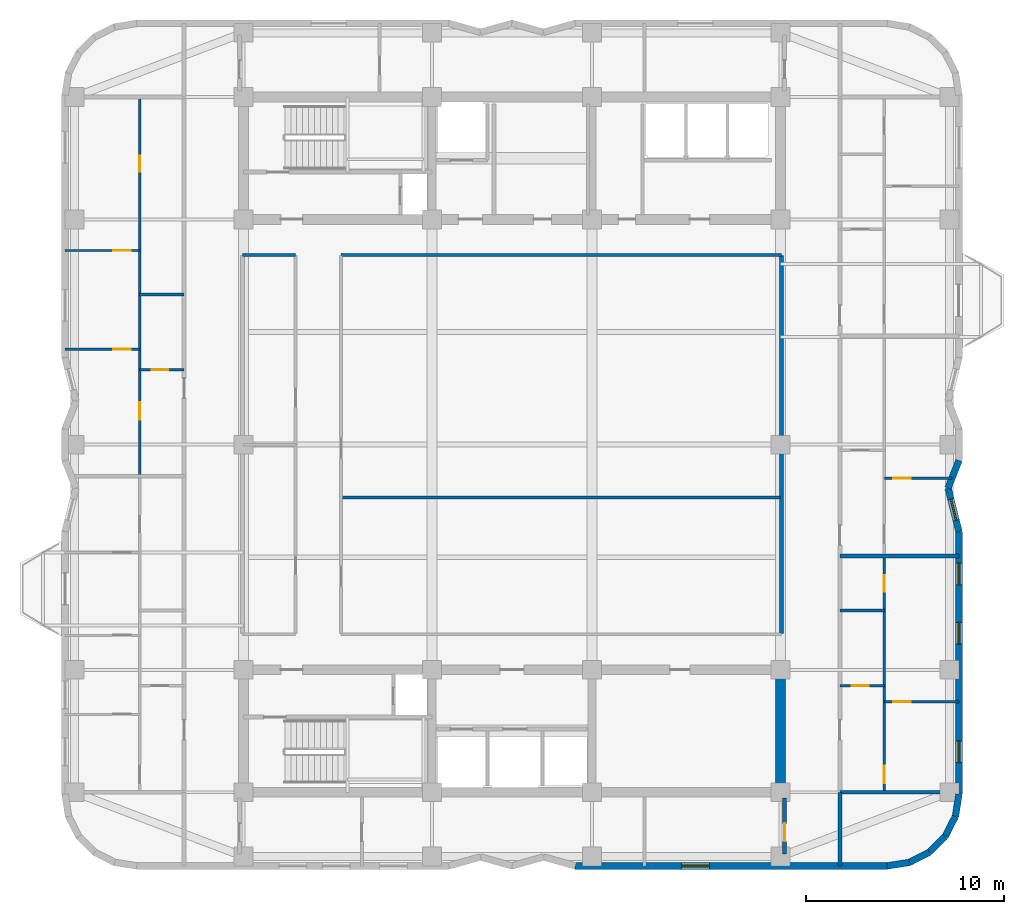
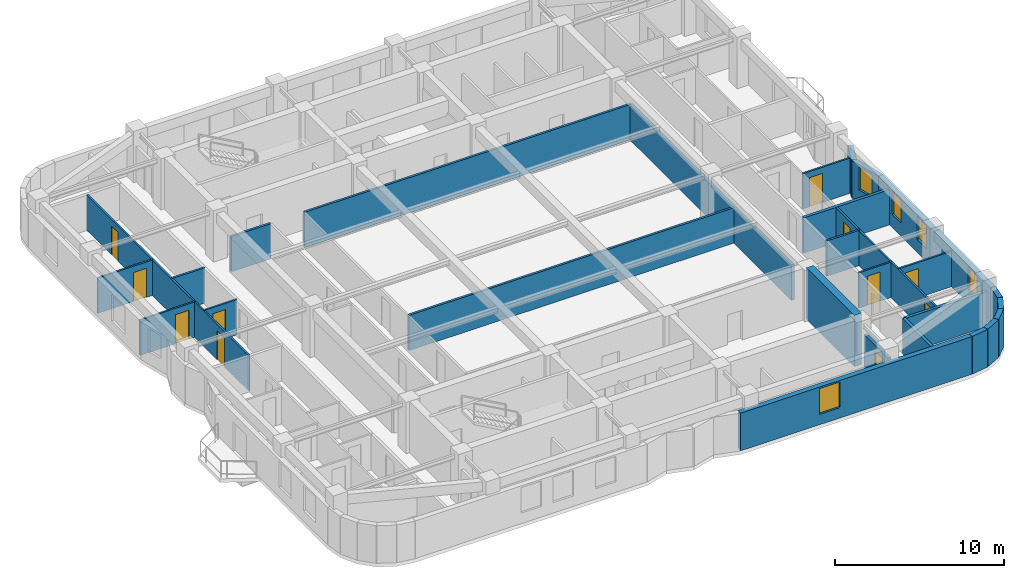
# One storey, part 4 of 8: 28 walls, 11 doors, 5 windows, 16 openings.
"""IFC4 building model written with IfcOpenShell, lengths in metres."""

from ifc_helpers import new_model, si_unit, direction, frame, frame_2d, origin, place, context, subcontext, project, spatial, rectangle, extrude, material, layer, layer_set, type_object, element, fill, save


model = new_model("IFC4")

# Units and contexts
model_context = context("Model", 3, precision=1e-05, world=origin(), true_north=direction((0.0, 1.0)))
body_context = subcontext(model_context, "Body", "Model", "MODEL_VIEW")
ifc_project = project(units=[si_unit("LENGTHUNIT", "METRE"), si_unit("AREAUNIT", "SQUARE_METRE"), si_unit("VOLUMEUNIT", "CUBIC_METRE"), si_unit("PLANEANGLEUNIT", "RADIAN"), si_unit("MASSUNIT", "GRAM", prefix="KILO")], contexts=[model_context])

# Site, building, storey
site_placement = place(None, origin())
site = spatial("IfcSite", under=ifc_project, at=site_placement, CompositionType="ELEMENT")
building_placement = place(site_placement, origin())
building = spatial("IfcBuilding", under=site, at=building_placement, Name="Svetorya Sky Lyceum", CompositionType="ELEMENT")
storey_placement = place(building_placement, frame((0.0, 0.0, 151.5)))
storey = spatial("IfcBuildingStorey", under=building, at=storey_placement, Name="L37", CompositionType="ELEMENT", Elevation=151.5)

# Wall
ifc_material_1 = material(Name="Concrete C50/60", Category="concrete")
ifc_layer_1 = layer(ifc_material_1, 0.5)
ifc_layer_set_1 = layer_set([ifc_layer_1], Name="Concrete C50/60")
wall_type_1 = type_object("IfcWallType", Name="WL-CORE-500", PredefinedType="SHEAR", material=ifc_layer_set_1)
wall_1_placement = place(storey_placement, frame((52.800048828125, 10.85009765625, 0.0), z_axis=(0.0, 0.0, 1.0), x_axis=(0.0, 1.0, 0.0)))
element("IfcWall", 1, at=wall_1_placement, inside=storey, type_object=wall_type_1, Name="L37 SC East Core Shear Wall", PredefinedType="SHEAR", context=body_context, shape_type="SweptSolid", body=[
    extrude(rectangle(XDim=5.699951171875, YDim=0.5, at=frame_2d((2.85009765625, 0.0))), origin(), (0.0, 0.0, 1.0), 3.699951171875),
])

# Wall, opening, window
ifc_material_2 = material(Name="Putilovo limestone rainscreen on autoclaved cellular masonry", Category="masonry")
ifc_layer_2 = layer(ifc_material_2, 0.340087890625)
ifc_layer_set_2 = layer_set([ifc_layer_2], Name="Putilovo limestone rainscreen on autoclaved cellular masonry")
wall_type_2 = type_object("IfcWallType", Name="WL-EXT-340", PredefinedType="SOLIDWALL", material=ifc_layer_set_2)
wall_2_placement = place(storey_placement, frame((42.39990234375, 6.8701171875, 0.0), z_axis=(0.0, 0.0, 1.0), x_axis=(1.0, 0.0, 0.0)))
wall_2 = element("IfcWall", 2, at=wall_2_placement, inside=storey, type_object=wall_type_2, Name="L37 Limestone Exterior Wall 11M", PredefinedType="SOLIDWALL", context=body_context, shape_type="SweptSolid", body=[
    extrude(rectangle(XDim=15.800048828125, YDim=0.340087890625, at=frame_2d((7.89990234375, 0.0))), origin(), (0.0, 0.0, 1.0), 2.719970703125),
])
opening_1_placement = place(wall_2_placement, frame((5.387451171875, 0.0, 0.75)))
opening_1 = element("IfcOpeningElement", 3, at=opening_1_placement, cuts=wall_2, Name="Opening W-R2", PredefinedType="OPENING", context=body_context, shape_type="SweptSolid", body=[
    extrude(rectangle(XDim=1.39990234375, YDim=1.85009765625, at=frame_2d((0.699951171875, 0.925048828125))), frame((0.0, 0.179931640625, 0.0), z_axis=(0.0, -1.0, 0.0), x_axis=(1.0, 0.0, 0.0)), (0.0, 0.0, 1.0), 0.360107421875),
])
ifc_material_3 = material(Name="Thermally broken aluminium frame with triple low-E glazing", Category="aluminium")
window_type_1 = type_object("IfcWindowType", Name="WN-RES-140", PartitioningType="SINGLE_PANEL", PredefinedType="WINDOW", material=ifc_material_3)
window_1_placement = place(opening_1_placement, origin())
window_1 = element("IfcWindow", 4, at=window_1_placement, inside=storey, type_object=window_type_1, Name="L37 Facade Window W-R2.11M.1", OverallHeight=1.85009765625, OverallWidth=1.39990234375, PartitioningType="SINGLE_PANEL", PredefinedType="WINDOW", context=body_context, shape_type="SweptSolid", body=[
    extrude(rectangle(XDim=1.39990234375, YDim=1.85009765625, at=frame_2d((0.699951171875, 0.925048828125))), frame((0.0, 0.030029296875, 0.0), z_axis=(0.0, -1.0, 0.0), x_axis=(1.0, 0.0, 0.0)), (0.0, 0.0, 1.0), 0.06005859375),
])
fill(opening_1, window_1)

# Walls
for number, where, z_axis, x_axis, name in (
    (5, (58.199951171875, 6.8701171875, 0.0), (0.0, 0.0, 1.0), (0.987714116584, 0.156271634985, 0.0), "L37 Limestone Exterior Wall 12M"),
    (6, (59.32177734375, 7.047607421875, 0.0), (0.0, 0.0, 1.0), (0.891005044957, 0.453993402883, 0.0), "L37 Limestone Exterior Wall 13M"),
):
    element("IfcWall", number, at=place(storey_placement, frame(where, z_axis=z_axis, x_axis=x_axis)), inside=storey, type_object=wall_type_2, Name=name, PredefinedType="SOLIDWALL", context=body_context, shape_type="SweptSolid", body=[
        extrude(rectangle(XDim=1.1357421875, YDim=0.340087890625, at=frame_2d((0.56787109375, 0.0))), origin(), (0.0, 0.0, 1.0), 2.719970703125),
    ])
wall_3_placement = place(storey_placement, frame((60.333740234375, 7.563232421875, 0.0), z_axis=(0.0, 0.0, 1.0), x_axis=(0.707106781187, 0.707106781187, 0.0)))
element("IfcWall", 7, at=wall_3_placement, inside=storey, type_object=wall_type_2, Name="L37 Limestone Exterior Wall 14M", PredefinedType="SOLIDWALL", context=body_context, shape_type="SweptSolid", body=[
    extrude(rectangle(XDim=1.135498046875, YDim=0.340087890625, at=frame_2d((0.56787109375, 0.0))), origin(), (0.0, 0.0, 1.0), 2.719970703125),
])
wall_4_placement = place(storey_placement, frame((61.13671875, 8.3662109375, 0.0), z_axis=(0.0, 0.0, 1.0), x_axis=(0.45390646422, 0.891049337433, 0.0)))
element("IfcWall", 8, at=wall_4_placement, inside=storey, type_object=wall_type_2, Name="L37 Limestone Exterior Wall 15M", PredefinedType="SOLIDWALL", context=body_context, shape_type="SweptSolid", body=[
    extrude(rectangle(XDim=1.135986328125, YDim=0.340087890625, at=frame_2d((0.56787109375, 0.0))), origin(), (0.0, 0.0, 1.0), 2.719970703125),
])
wall_5_placement = place(storey_placement, frame((61.65234375, 9.37841796875, 0.0), z_axis=(0.0, 0.0, 1.0), x_axis=(0.156514556949, 0.987675651954, 0.0)))
element("IfcWall", 9, at=wall_5_placement, inside=storey, type_object=wall_type_2, Name="L37 Limestone Exterior Wall 16M", PredefinedType="SOLIDWALL", context=body_context, shape_type="SweptSolid", body=[
    extrude(rectangle(XDim=1.135498046875, YDim=0.340087890625, at=frame_2d((0.56787109375, 0.0))), origin(), (0.0, 0.0, 1.0), 2.719970703125),
])

# Wall, openings, windows
wall_6_placement = place(storey_placement, frame((61.830078125, 10.5, 0.0), z_axis=(0.0, 0.0, 1.0), x_axis=(0.0, 1.0, 0.0)))
wall_6 = element("IfcWall", 10, at=wall_6_placement, inside=storey, type_object=wall_type_2, Name="L37 Limestone Exterior Wall 17M", PredefinedType="SOLIDWALL", context=body_context, shape_type="SweptSolid", body=[
    extrude(rectangle(XDim=13.300048828125, YDim=0.340087890625, at=frame_2d((6.64990234375, 0.0))), origin(), (0.0, 0.0, 1.0), 2.719970703125),
])
opening_2_placement = place(wall_6_placement, frame((1.60009765625, 0.0, 0.949951171875)))
opening_2 = element("IfcOpeningElement", 11, at=opening_2_placement, cuts=wall_6, Name="Opening W-R3", PredefinedType="OPENING", context=body_context, shape_type="SweptSolid", body=[
    extrude(rectangle(XDim=1.10009765625, YDim=1.64990234375, at=frame_2d((0.550048828125, 0.824951171875))), frame((0.0, 0.179931640625, 0.0), z_axis=(0.0, -1.0, 0.0), x_axis=(1.0, 0.0, 0.0)), (0.0, 0.0, 1.0), 0.360107421875),
])
opening_3_placement = place(wall_6_placement, frame((7.60009765625, 0.0, 0.949951171875)))
opening_3 = element("IfcOpeningElement", 12, at=opening_3_placement, cuts=wall_6, Name="Opening W-R3", PredefinedType="OPENING", context=body_context, shape_type="SweptSolid", body=[
    extrude(rectangle(XDim=1.10009765625, YDim=1.64990234375, at=frame_2d((0.550048828125, 0.824951171875))), frame((0.0, 0.179931640625, 0.0), z_axis=(0.0, -1.0, 0.0), x_axis=(1.0, 0.0, 0.0)), (0.0, 0.0, 1.0), 0.360107421875),
])
opening_4_placement = place(wall_6_placement, frame((10.60009765625, 0.0, 0.949951171875)))
opening_4 = element("IfcOpeningElement", 13, at=opening_4_placement, cuts=wall_6, Name="Opening W-R3", PredefinedType="OPENING", context=body_context, shape_type="SweptSolid", body=[
    extrude(rectangle(XDim=1.10009765625, YDim=1.64990234375, at=frame_2d((0.550048828125, 0.824951171875))), frame((0.0, 0.179931640625, 0.0), z_axis=(0.0, -1.0, 0.0), x_axis=(1.0, 0.0, 0.0)), (0.0, 0.0, 1.0), 0.360107421875),
])
window_type_2 = type_object("IfcWindowType", Name="WN-RES-110", PartitioningType="SINGLE_PANEL", PredefinedType="WINDOW", material=ifc_material_3)
window_2_placement = place(opening_2_placement, origin())
window_2 = element("IfcWindow", 14, at=window_2_placement, inside=storey, type_object=window_type_2, Name="L37 Facade Window W-R3.17M.1", OverallHeight=1.64990234375, OverallWidth=1.10009765625, PartitioningType="SINGLE_PANEL", PredefinedType="WINDOW", context=body_context, shape_type="SweptSolid", body=[
    extrude(rectangle(XDim=1.10009765625, YDim=1.64990234375, at=frame_2d((0.550048828125, 0.824951171875))), frame((0.0, 0.030029296875, 0.0), z_axis=(0.0, -1.0, 0.0), x_axis=(1.0, 0.0, 0.0)), (0.0, 0.0, 1.0), 0.06005859375),
])
fill(opening_2, window_2)
window_3_placement = place(opening_3_placement, origin())
window_3 = element("IfcWindow", 15, at=window_3_placement, inside=storey, type_object=window_type_2, Name="L37 Facade Window W-R3.17M.2", OverallHeight=1.64990234375, OverallWidth=1.10009765625, PartitioningType="SINGLE_PANEL", PredefinedType="WINDOW", context=body_context, shape_type="SweptSolid", body=[
    extrude(rectangle(XDim=1.10009765625, YDim=1.64990234375, at=frame_2d((0.550048828125, 0.824951171875))), frame((0.0, 0.030029296875, 0.0), z_axis=(0.0, -1.0, 0.0), x_axis=(1.0, 0.0, 0.0)), (0.0, 0.0, 1.0), 0.06005859375),
])
fill(opening_3, window_3)
window_4_placement = place(opening_4_placement, origin())
window_4 = element("IfcWindow", 16, at=window_4_placement, inside=storey, type_object=window_type_2, Name="L37 Facade Window W-R3.17M.3", OverallHeight=1.64990234375, OverallWidth=1.10009765625, PartitioningType="SINGLE_PANEL", PredefinedType="WINDOW", context=body_context, shape_type="SweptSolid", body=[
    extrude(rectangle(XDim=1.10009765625, YDim=1.64990234375, at=frame_2d((0.550048828125, 0.824951171875))), frame((0.0, 0.030029296875, 0.0), z_axis=(0.0, -1.0, 0.0), x_axis=(1.0, 0.0, 0.0)), (0.0, 0.0, 1.0), 0.06005859375),
])
fill(opening_4, window_4)

# Wall, opening, window
wall_7_placement = place(storey_placement, frame((61.830078125, 23.800048828125, 0.0), z_axis=(0.0, 0.0, 1.0), x_axis=(-0.242560957029, 0.970136166796, 0.0)))
wall_7 = element("IfcWall", 17, at=wall_7_placement, inside=storey, type_object=wall_type_2, Name="L37 Limestone Exterior Wall 18M", PredefinedType="SOLIDWALL", context=body_context, shape_type="SweptSolid", body=[
    extrude(rectangle(XDim=2.267578125, YDim=0.340087890625, at=frame_2d((1.1337890625, 0.0))), origin(), (0.0, 0.0, 1.0), 2.719970703125),
])
opening_5_placement = place(wall_7_placement, frame((0.583984375, 0.0, 0.909912109375)))
opening_5 = element("IfcOpeningElement", 18, at=opening_5_placement, cuts=wall_7, Name="Opening W-R3", PredefinedType="OPENING", context=body_context, shape_type="SweptSolid", body=[
    extrude(rectangle(XDim=1.10009765625, YDim=1.64990234375, at=frame_2d((0.550048828125, 0.824951171875))), frame((0.0, 0.179931640625, 0.0), z_axis=(0.0, -1.0, 0.0), x_axis=(1.0, 0.0, 0.0)), (0.0, 0.0, 1.0), 0.360107421875),
])
window_5_placement = place(opening_5_placement, origin())
window_5 = element("IfcWindow", 19, at=window_5_placement, inside=storey, type_object=window_type_2, Name="L37 Facade Window W-R3.18M.1", OverallHeight=1.64990234375, OverallWidth=1.10009765625, PartitioningType="SINGLE_PANEL", PredefinedType="WINDOW", context=body_context, shape_type="SweptSolid", body=[
    extrude(rectangle(XDim=1.10009765625, YDim=1.64990234375, at=frame_2d((0.550048828125, 0.824951171875))), frame((0.0, 0.030029296875, 0.0), z_axis=(0.0, -1.0, 0.0), x_axis=(1.0, 0.0, 0.0)), (0.0, 0.0, 1.0), 0.06005859375),
])
fill(opening_5, window_5)

# Wall
wall_8_placement = place(storey_placement, frame((61.280029296875, 26.0, 0.0), z_axis=(0.0, 0.0, 1.0), x_axis=(0.365702591843, 0.930731762818, 0.0)))
element("IfcWall", 20, at=wall_8_placement, inside=storey, type_object=wall_type_2, Name="L37 Limestone Exterior Wall 19M", PredefinedType="SOLIDWALL", context=body_context, shape_type="SweptSolid", body=[
    extrude(rectangle(XDim=1.504150390625, YDim=0.340087890625, at=frame_2d((0.751953125, 0.0))), origin(), (0.0, 0.0, 1.0), 2.719970703125),
])

# Wall, opening, door
ifc_material_4 = material(Name="Twin-stud galvanized framing with double fireboard", Category="gypsum")
ifc_layer_3 = layer(ifc_material_4, 0.1201171875)
ifc_layer_set_3 = layer_set([ifc_layer_3], Name="Twin-stud galvanized framing with double fireboard")
wall_type_3 = type_object("IfcWallType", Name="WL-PART-120", PredefinedType="PARTITIONING", material=ifc_layer_set_3)
wall_9_placement = place(storey_placement, frame((20.35009765625, 32.0, 0.0), z_axis=(0.0, 0.0, 1.0), x_axis=(1.0, 0.0, 0.0)))
wall_9 = element("IfcWall", 21, at=wall_9_placement, inside=storey, type_object=wall_type_3, Name="L37 Interior Partition W2-WH1", PredefinedType="PARTITIONING", context=body_context, shape_type="SweptSolid", body=[
    extrude(rectangle(XDim=2.25, YDim=0.1201171875, at=frame_2d((1.125, 0.0))), origin(), (0.0, 0.0, 1.0), 2.550048828125),
])
opening_6_placement = place(wall_9_placement, frame((0.60009765625, 0.0, 0.0)))
opening_6 = element("IfcOpeningElement", 22, at=opening_6_placement, cuts=wall_9, Name="Opening D-BT1", PredefinedType="OPENING", context=body_context, shape_type="SweptSolid", body=[
    extrude(rectangle(XDim=0.85009765625, YDim=2.10009765625, at=frame_2d((0.425048828125, 1.050048828125))), frame((0.0, 0.070068359375, 0.0), z_axis=(0.0, -1.0, 0.0), x_axis=(1.0, 0.0, 0.0)), (0.0, 0.0, 1.0), 0.14013671875),
])
ifc_material_5 = material(Name="Moisture-resistant laminate bathroom door")
door_type_1 = type_object("IfcDoorType", Name="DR-WET-850", OperationType="SINGLE_SWING_LEFT", PredefinedType="DOOR", material=ifc_material_5)
door_1_placement = place(opening_6_placement, origin())
door_1 = element("IfcDoor", 23, at=door_1_placement, inside=storey, type_object=door_type_1, Name="Apartment W2 Bathroom Door", OperationType="SINGLE_SWING_RIGHT", OverallHeight=2.10009765625, OverallWidth=0.85009765625, PredefinedType="DOOR", context=body_context, shape_type="SweptSolid", body=[
    extrude(rectangle(XDim=0.85009765625, YDim=2.10009765625, at=frame_2d((0.425048828125, 1.050048828125))), frame((0.0, 0.02490234375, 0.0), z_axis=(0.0, -1.0, 0.0), x_axis=(1.0, 0.0, 0.0)), (0.0, 0.0, 1.0), 0.050048828125),
])
fill(opening_6, door_1)

wall_10_placement = place(storey_placement, frame((16.570068359375, 33.030029296875, 0.0), z_axis=(0.0, 0.0, 1.0), x_axis=(1.0, 0.0, 0.0)))
wall_10 = element("IfcWall", 24, at=wall_10_placement, inside=storey, type_object=wall_type_3, Name="L37 Interior Partition W2-WL1", PredefinedType="PARTITIONING", context=body_context, shape_type="SweptSolid", body=[
    extrude(rectangle(XDim=3.780029296875, YDim=0.1201171875, at=frame_2d((1.89013671875, 0.0))), origin(), (0.0, 0.0, 1.0), 2.550048828125),
])
opening_7_placement = place(wall_10_placement, frame((2.429931640625, 0.0, 0.0)))
opening_7 = element("IfcOpeningElement", 25, at=opening_7_placement, cuts=wall_10, Name="Opening D-RM1", PredefinedType="OPENING", context=body_context, shape_type="SweptSolid", body=[
    extrude(rectangle(XDim=0.89990234375, YDim=2.10009765625, at=frame_2d((0.449951171875, 1.050048828125))), frame((0.0, 0.070068359375, 0.0), z_axis=(0.0, -1.0, 0.0), x_axis=(1.0, 0.0, 0.0)), (0.0, 0.0, 1.0), 0.14013671875),
])
ifc_material_6 = material(Name="Lacquered birch veneer internal door")
door_type_2 = type_object("IfcDoorType", Name="DR-INT-900", OperationType="SINGLE_SWING_LEFT", PredefinedType="DOOR", material=ifc_material_6)
door_2_placement = place(opening_7_placement, origin())
door_2 = element("IfcDoor", 26, at=door_2_placement, inside=storey, type_object=door_type_2, Name="Apartment W2 Master Bedroom Door", OperationType="SINGLE_SWING_RIGHT", OverallHeight=2.10009765625, OverallWidth=0.89990234375, PredefinedType="DOOR", context=body_context, shape_type="SweptSolid", body=[
    extrude(rectangle(XDim=0.89990234375, YDim=2.10009765625, at=frame_2d((0.449951171875, 1.050048828125))), frame((0.0, 0.02490234375, 0.0), z_axis=(0.0, -1.0, 0.0), x_axis=(1.0, 0.0, 0.0)), (0.0, 0.0, 1.0), 0.050048828125),
])
fill(opening_7, door_2)

wall_11_placement = place(storey_placement, frame((16.570068359375, 38.030029296875, 0.0), z_axis=(0.0, 0.0, 1.0), x_axis=(1.0, 0.0, 0.0)))
wall_11 = element("IfcWall", 27, at=wall_11_placement, inside=storey, type_object=wall_type_3, Name="L37 Interior Partition W2-WL2", PredefinedType="PARTITIONING", context=body_context, shape_type="SweptSolid", body=[
    extrude(rectangle(XDim=3.780029296875, YDim=0.1201171875, at=frame_2d((1.89013671875, 0.0))), origin(), (0.0, 0.0, 1.0), 2.550048828125),
])
opening_8_placement = place(wall_11_placement, frame((2.429931640625, 0.0, 0.0)))
opening_8 = element("IfcOpeningElement", 28, at=opening_8_placement, cuts=wall_11, Name="Opening D-RM1", PredefinedType="OPENING", context=body_context, shape_type="SweptSolid", body=[
    extrude(rectangle(XDim=0.89990234375, YDim=2.10009765625, at=frame_2d((0.449951171875, 1.050048828125))), frame((0.0, 0.070068359375, 0.0), z_axis=(0.0, -1.0, 0.0), x_axis=(1.0, 0.0, 0.0)), (0.0, 0.0, 1.0), 0.14013671875),
])
door_3_placement = place(opening_8_placement, origin())
door_3 = element("IfcDoor", 29, at=door_3_placement, inside=storey, type_object=door_type_2, Name="Apartment W2 Bedroom 2 Door", OperationType="SINGLE_SWING_LEFT", OverallHeight=2.10009765625, OverallWidth=0.89990234375, PredefinedType="DOOR", context=body_context, shape_type="SweptSolid", body=[
    extrude(rectangle(XDim=0.89990234375, YDim=2.10009765625, at=frame_2d((0.449951171875, 1.050048828125))), frame((0.0, 0.02490234375, 0.0), z_axis=(0.0, -1.0, 0.0), x_axis=(1.0, 0.0, 0.0)), (0.0, 0.0, 1.0), 0.050048828125),
])
fill(opening_8, door_3)

# Wall, openings, doors
wall_12_placement = place(storey_placement, frame((20.35009765625, 26.639892578125, 0.0), z_axis=(0.0, 0.0, 1.0), x_axis=(0.0, 1.0, 0.0)))
wall_12 = element("IfcWall", 30, at=wall_12_placement, inside=storey, type_object=wall_type_3, Name="L37 Interior Partition W2-WV", PredefinedType="PARTITIONING", context=body_context, shape_type="SweptSolid", body=[
    extrude(rectangle(XDim=19.1201171875, YDim=0.1201171875, at=frame_2d((9.56005859375, 0.0))), origin(), (0.0, 0.0, 1.0), 2.550048828125),
])
opening_9_placement = place(wall_12_placement, frame((2.81005859375, 0.0, 0.0)))
opening_9 = element("IfcOpeningElement", 31, at=opening_9_placement, cuts=wall_12, Name="Opening D-RM1", PredefinedType="OPENING", context=body_context, shape_type="SweptSolid", body=[
    extrude(rectangle(XDim=0.89990234375, YDim=2.10009765625, at=frame_2d((0.449951171875, 1.050048828125))), frame((0.0, 0.070068359375, 0.0), z_axis=(0.0, -1.0, 0.0), x_axis=(1.0, 0.0, 0.0)), (0.0, 0.0, 1.0), 0.14013671875),
])
opening_10_placement = place(wall_12_placement, frame((15.364990234375, 0.0, 0.0)))
opening_10 = element("IfcOpeningElement", 32, at=opening_10_placement, cuts=wall_12, Name="Opening D-BT2", PredefinedType="OPENING", context=body_context, shape_type="SweptSolid", body=[
    extrude(rectangle(XDim=0.820068359375, YDim=2.080078125, at=frame_2d((0.41015625, 1.0400390625))), frame((0.0, 0.070068359375, 0.0), z_axis=(0.0, -1.0, 0.0), x_axis=(1.0, 0.0, 0.0)), (0.0, 0.0, 1.0), 0.14013671875),
])
door_4_placement = place(opening_9_placement, origin())
door_4 = element("IfcDoor", 33, at=door_4_placement, inside=storey, type_object=door_type_2, Name="Apartment W2 Living Door", OperationType="SINGLE_SWING_LEFT", OverallHeight=2.10009765625, OverallWidth=0.89990234375, PredefinedType="DOOR", context=body_context, shape_type="SweptSolid", body=[
    extrude(rectangle(XDim=0.89990234375, YDim=2.10009765625, at=frame_2d((0.449951171875, 1.050048828125))), frame((0.0, 0.02490234375, 0.0), z_axis=(0.0, -1.0, 0.0), x_axis=(1.0, 0.0, 0.0)), (0.0, 0.0, 1.0), 0.050048828125),
])
fill(opening_9, door_4)
ifc_material_7 = material(Name="Compact moisture-resistant laminate closet door")
door_type_3 = type_object("IfcDoorType", Name="DR-WET-820", OperationType="SINGLE_SWING_LEFT", PredefinedType="DOOR", material=ifc_material_7)
door_5_placement = place(opening_10_placement, origin())
door_5 = element("IfcDoor", 34, at=door_5_placement, inside=storey, type_object=door_type_3, Name="Apartment W2 Study Door", OperationType="SINGLE_SWING_RIGHT", OverallHeight=2.080078125, OverallWidth=0.820068359375, PredefinedType="DOOR", context=body_context, shape_type="SweptSolid", body=[
    extrude(rectangle(XDim=0.820068359375, YDim=2.080078125, at=frame_2d((0.41015625, 1.0400390625))), frame((0.0, 0.02490234375, 0.0), z_axis=(0.0, -1.0, 0.0), x_axis=(1.0, 0.0, 0.0)), (0.0, 0.0, 1.0), 0.050048828125),
])
fill(opening_10, door_5)

# Wall, opening, door
wall_13_placement = place(storey_placement, frame((55.800048828125, 16.0, 0.0), z_axis=(0.0, 0.0, 1.0), x_axis=(1.0, 0.0, 0.0)))
wall_13 = element("IfcWall", 35, at=wall_13_placement, inside=storey, type_object=wall_type_3, Name="L37 Interior Partition E1-WH1", PredefinedType="PARTITIONING", context=body_context, shape_type="SweptSolid", body=[
    extrude(rectangle(XDim=2.25, YDim=0.1201171875, at=frame_2d((1.125, 0.0))), origin(), (0.0, 0.0, 1.0), 2.550048828125),
])
opening_11_placement = place(wall_13_placement, frame((0.60009765625, 0.0, 0.0)))
opening_11 = element("IfcOpeningElement", 36, at=opening_11_placement, cuts=wall_13, Name="Opening D-BT1", PredefinedType="OPENING", context=body_context, shape_type="SweptSolid", body=[
    extrude(rectangle(XDim=0.85009765625, YDim=2.10009765625, at=frame_2d((0.425048828125, 1.050048828125))), frame((0.0, 0.070068359375, 0.0), z_axis=(0.0, -1.0, 0.0), x_axis=(1.0, 0.0, 0.0)), (0.0, 0.0, 1.0), 0.14013671875),
])
door_6_placement = place(opening_11_placement, origin())
door_6 = element("IfcDoor", 37, at=door_6_placement, inside=storey, type_object=door_type_1, Name="Apartment E1 Bathroom Door", OperationType="SINGLE_SWING_RIGHT", OverallHeight=2.10009765625, OverallWidth=0.85009765625, PredefinedType="DOOR", context=body_context, shape_type="SweptSolid", body=[
    extrude(rectangle(XDim=0.85009765625, YDim=2.10009765625, at=frame_2d((0.425048828125, 1.050048828125))), frame((0.0, 0.02490234375, 0.0), z_axis=(0.0, -1.0, 0.0), x_axis=(1.0, 0.0, 0.0)), (0.0, 0.0, 1.0), 0.050048828125),
])
fill(opening_11, door_6)

wall_14_placement = place(storey_placement, frame((58.050048828125, 15.179931640625, 0.0), z_axis=(0.0, 0.0, 1.0), x_axis=(1.0, 0.0, 0.0)))
wall_14 = element("IfcWall", 38, at=wall_14_placement, inside=storey, type_object=wall_type_3, Name="L37 Interior Partition E1-WL1", PredefinedType="PARTITIONING", context=body_context, shape_type="SweptSolid", body=[
    extrude(rectangle(XDim=3.780029296875, YDim=0.1201171875, at=frame_2d((1.89013671875, 0.0))), origin(), (0.0, 0.0, 1.0), 2.550048828125),
])
opening_12_placement = place(wall_14_placement, frame((0.449951171875, 0.0, 0.0)))
opening_12 = element("IfcOpeningElement", 39, at=opening_12_placement, cuts=wall_14, Name="Opening D-RM1", PredefinedType="OPENING", context=body_context, shape_type="SweptSolid", body=[
    extrude(rectangle(XDim=0.89990234375, YDim=2.10009765625, at=frame_2d((0.449951171875, 1.050048828125))), frame((0.0, 0.070068359375, 0.0), z_axis=(0.0, -1.0, 0.0), x_axis=(1.0, 0.0, 0.0)), (0.0, 0.0, 1.0), 0.14013671875),
])
door_7_placement = place(opening_12_placement, origin())
door_7 = element("IfcDoor", 40, at=door_7_placement, inside=storey, type_object=door_type_2, Name="Apartment E1 Bedroom 1 Door", OperationType="SINGLE_SWING_RIGHT", OverallHeight=2.10009765625, OverallWidth=0.89990234375, PredefinedType="DOOR", context=body_context, shape_type="SweptSolid", body=[
    extrude(rectangle(XDim=0.89990234375, YDim=2.10009765625, at=frame_2d((0.449951171875, 1.050048828125))), frame((0.0, 0.02490234375, 0.0), z_axis=(0.0, -1.0, 0.0), x_axis=(1.0, 0.0, 0.0)), (0.0, 0.0, 1.0), 0.050048828125),
])
fill(opening_12, door_7)

# Wall, openings, doors
wall_15_placement = place(storey_placement, frame((58.050048828125, 10.639892578125, 0.0), z_axis=(0.0, 0.0, 1.0), x_axis=(0.0, 1.0, 0.0)))
wall_15 = element("IfcWall", 41, at=wall_15_placement, inside=storey, type_object=wall_type_3, Name="L37 Interior Partition E1-WV", PredefinedType="PARTITIONING", context=body_context, shape_type="SweptSolid", body=[
    extrude(rectangle(XDim=11.88818359375, YDim=0.1201171875, at=frame_2d((5.944091796875, 0.0))), origin(), (0.0, 0.0, 1.0), 2.550048828125),
])
opening_13_placement = place(wall_15_placement, frame((0.409912109375, 0.0, 0.0)))
opening_13 = element("IfcOpeningElement", 42, at=opening_13_placement, cuts=wall_15, Name="Opening D-RM1", PredefinedType="OPENING", context=body_context, shape_type="SweptSolid", body=[
    extrude(rectangle(XDim=0.89990234375, YDim=2.10009765625, at=frame_2d((0.449951171875, 1.050048828125))), frame((0.0, 0.070068359375, 0.0), z_axis=(0.0, -1.0, 0.0), x_axis=(1.0, 0.0, 0.0)), (0.0, 0.0, 1.0), 0.14013671875),
])
opening_14_placement = place(wall_15_placement, frame((10.118896484375, 0.0, 0.0)))
opening_14 = element("IfcOpeningElement", 43, at=opening_14_placement, cuts=wall_15, Name="Opening D-BT2", PredefinedType="OPENING", context=body_context, shape_type="SweptSolid", body=[
    extrude(rectangle(XDim=0.820068359375, YDim=2.080078125, at=frame_2d((0.41015625, 1.0400390625))), frame((0.0, 0.070068359375, 0.0), z_axis=(0.0, -1.0, 0.0), x_axis=(1.0, 0.0, 0.0)), (0.0, 0.0, 1.0), 0.14013671875),
])
door_8_placement = place(opening_13_placement, origin())
door_8 = element("IfcDoor", 44, at=door_8_placement, inside=storey, type_object=door_type_2, Name="Apartment E1 Living Door", OperationType="SINGLE_SWING_LEFT", OverallHeight=2.10009765625, OverallWidth=0.89990234375, PredefinedType="DOOR", context=body_context, shape_type="SweptSolid", body=[
    extrude(rectangle(XDim=0.89990234375, YDim=2.10009765625, at=frame_2d((0.449951171875, 1.050048828125))), frame((0.0, 0.02490234375, 0.0), z_axis=(0.0, -1.0, 0.0), x_axis=(1.0, 0.0, 0.0)), (0.0, 0.0, 1.0), 0.050048828125),
])
fill(opening_13, door_8)
door_9_placement = place(opening_14_placement, origin())
door_9 = element("IfcDoor", 45, at=door_9_placement, inside=storey, type_object=door_type_3, Name="Apartment E1 Study Door", OperationType="SINGLE_SWING_RIGHT", OverallHeight=2.080078125, OverallWidth=0.820068359375, PredefinedType="DOOR", context=body_context, shape_type="SweptSolid", body=[
    extrude(rectangle(XDim=0.820068359375, YDim=2.080078125, at=frame_2d((0.41015625, 1.0400390625))), frame((0.0, 0.02490234375, 0.0), z_axis=(0.0, -1.0, 0.0), x_axis=(1.0, 0.0, 0.0)), (0.0, 0.0, 1.0), 0.050048828125),
])
fill(opening_14, door_9)

# Wall, opening, door
wall_16_placement = place(storey_placement, frame((58.050048828125, 26.508056640625, 0.0), z_axis=(0.0, 0.0, 1.0), x_axis=(1.0, 0.0, 0.0)))
wall_16 = element("IfcWall", 46, at=wall_16_placement, inside=storey, type_object=wall_type_3, Name="L37 Interior Partition E2-WL1", PredefinedType="PARTITIONING", context=body_context, shape_type="SweptSolid", body=[
    extrude(rectangle(XDim=3.429443359375, YDim=0.1201171875, at=frame_2d((1.71484375, 0.0))), origin(), (0.0, 0.0, 1.0), 2.550048828125),
])
opening_15_placement = place(wall_16_placement, frame((0.449951171875, 0.0, 0.0)))
opening_15 = element("IfcOpeningElement", 47, at=opening_15_placement, cuts=wall_16, Name="Opening D-RM1", PredefinedType="OPENING", context=body_context, shape_type="SweptSolid", body=[
    extrude(rectangle(XDim=0.89990234375, YDim=2.10009765625, at=frame_2d((0.449951171875, 1.050048828125))), frame((0.0, 0.070068359375, 0.0), z_axis=(0.0, -1.0, 0.0), x_axis=(1.0, 0.0, 0.0)), (0.0, 0.0, 1.0), 0.14013671875),
])
door_10_placement = place(opening_15_placement, origin())
door_10 = element("IfcDoor", 48, at=door_10_placement, inside=storey, type_object=door_type_2, Name="Apartment E2 Bedroom 1 Door", OperationType="SINGLE_SWING_LEFT", OverallHeight=2.10009765625, OverallWidth=0.89990234375, PredefinedType="DOOR", context=body_context, shape_type="SweptSolid", body=[
    extrude(rectangle(XDim=0.89990234375, YDim=2.10009765625, at=frame_2d((0.449951171875, 1.050048828125))), frame((0.0, 0.02490234375, 0.0), z_axis=(0.0, -1.0, 0.0), x_axis=(1.0, 0.0, 0.0)), (0.0, 0.0, 1.0), 0.050048828125),
])
fill(opening_15, door_10)

# Walls
ifc_material_8 = material(Name="Twin-stud galvanized framing with acoustic board", Category="gypsum")
ifc_layer_4 = layer(ifc_material_8, 0.135009765625)
ifc_layer_set_4 = layer_set([ifc_layer_4], Name="Twin-stud galvanized framing with acoustic board")
wall_type_4 = type_object("IfcWallType", Name="WL-PART-135", PredefinedType="PARTITIONING", material=ifc_layer_set_4)
for number, where, z_axis, x_axis, name in (
    (49, (20.35009765625, 35.800048828125, 0.0), (0.0, 0.0, 1.0), (1.0, 0.0, 0.0), "L37 Interior Partition W2-WH2"),
    (50, (55.800048828125, 19.800048828125, 0.0), (0.0, 0.0, 1.0), (1.0, 0.0, 0.0), "L37 Interior Partition E1-WH2"),
):
    element("IfcWall", number, at=place(storey_placement, frame(where, z_axis=z_axis, x_axis=x_axis)), inside=storey, type_object=wall_type_4, Name=name, PredefinedType="PARTITIONING", context=body_context, shape_type="SweptSolid", body=[
        extrude(rectangle(XDim=2.25, YDim=0.135009765625, at=frame_2d((1.125, 0.0))), origin(), (0.0, 0.0, 1.0), 2.550048828125),
    ])
ifc_material_9 = material(Name="Autoclaved cellular masonry blockwork with acoustic render", Category="masonry")
ifc_layer_5 = layer(ifc_material_9, 0.14990234375)
ifc_layer_set_5 = layer_set([ifc_layer_5], Name="Autoclaved cellular masonry blockwork with acoustic render")
wall_type_5 = type_object("IfcWallType", Name="WL-PART-150", PredefinedType="PARTITIONING", material=ifc_layer_set_5)
wall_17_placement = place(storey_placement, frame((25.550048828125, 37.800048828125, 0.0), z_axis=(0.0, 0.0, 1.0), x_axis=(1.0, 0.0, 0.0)))
element("IfcWall", 51, at=wall_17_placement, inside=storey, type_object=wall_type_5, Name="L37 Interior Partition OFF-CN-W", PredefinedType="PARTITIONING", context=body_context, shape_type="SweptSolid", body=[
    extrude(rectangle(XDim=2.699951171875, YDim=0.14990234375, at=frame_2d((1.35009765625, 0.0))), origin(), (0.0, 0.0, 1.0), 2.550048828125),
])
wall_18_placement = place(storey_placement, frame((30.550048828125, 37.800048828125, 0.0), z_axis=(0.0, 0.0, 1.0), x_axis=(1.0, 0.0, 0.0)))
element("IfcWall", 52, at=wall_18_placement, inside=storey, type_object=wall_type_5, Name="L37 Interior Partition OFF-CN-E", PredefinedType="PARTITIONING", context=body_context, shape_type="SweptSolid", body=[
    extrude(rectangle(XDim=22.300048828125, YDim=0.14990234375, at=frame_2d((11.14990234375, 0.0))), origin(), (0.0, 0.0, 1.0), 2.550048828125),
])
wall_19_placement = place(storey_placement, frame((30.580078125, 25.5205078125, 0.0), z_axis=(0.0, 0.0, 1.0), x_axis=(1.0, 0.0, 0.0)))
element("IfcWall", 53, at=wall_19_placement, inside=storey, type_object=wall_type_5, Name="L37 Interior Partition OFF-HE", PredefinedType="PARTITIONING", context=body_context, shape_type="SweptSolid", body=[
    extrude(rectangle(XDim=22.219970703125, YDim=0.14990234375, at=frame_2d((11.10986328125, 0.0))), origin(), (0.0, 0.0, 1.0), 2.550048828125),
])
ifc_material_10 = material(Name="Autoclaved cellular masonry blockwork with gypsum plaster", Category="masonry")
ifc_layer_6 = layer(ifc_material_10, 0.199951171875)
ifc_layer_set_6 = layer_set([ifc_layer_6], Name="Autoclaved cellular masonry blockwork with gypsum plaster")
wall_type_6 = type_object("IfcWallType", Name="WL-PART-200", PredefinedType="PARTITIONING", material=ifc_layer_set_6)
wall_20_placement = place(storey_placement, frame((52.85009765625, 18.6298828125, 0.0), z_axis=(0.0, 0.0, 1.0), x_axis=(0.0, 1.0, 0.0)))
element("IfcWall", 54, at=wall_20_placement, inside=storey, type_object=wall_type_6, Name="L37 Interior Partition E-CEN-SEP", PredefinedType="PARTITIONING", context=body_context, shape_type="SweptSolid", body=[
    extrude(rectangle(XDim=19.14013671875, YDim=0.199951171875, at=frame_2d((9.570068359375, 0.0))), origin(), (0.0, 0.0, 1.0), 2.550048828125),
])
wall_21_placement = place(storey_placement, frame((55.800048828125, 22.568115234375, 0.0), z_axis=(0.0, 0.0, 1.0), x_axis=(1.0, 0.0, 0.0)))
element("IfcWall", 55, at=wall_21_placement, inside=storey, type_object=wall_type_6, Name="L37 Interior Partition E-PARTY-1", PredefinedType="PARTITIONING", context=body_context, shape_type="SweptSolid", body=[
    extrude(rectangle(XDim=6.030029296875, YDim=0.199951171875, at=frame_2d((3.01513671875, 0.0))), origin(), (0.0, 0.0, 1.0), 2.550048828125),
])
wall_22_placement = place(storey_placement, frame((55.800048828125, 10.60009765625, 0.0), z_axis=(0.0, 0.0, 1.0), x_axis=(1.0, 0.0, 0.0)))
element("IfcWall", 56, at=wall_22_placement, inside=storey, type_object=wall_type_6, Name="L37 Interior Partition E-CAP-S", PredefinedType="PARTITIONING", context=body_context, shape_type="SweptSolid", body=[
    extrude(rectangle(XDim=5.60986328125, YDim=0.199951171875, at=frame_2d((2.804931640625, 0.0))), origin(), (0.0, 0.0, 1.0), 2.550048828125),
])
wall_23_placement = place(storey_placement, frame((55.800048828125, 6.8701171875, 0.0), z_axis=(0.0, 0.0, 1.0), x_axis=(0.0, 1.0, 0.0)))
element("IfcWall", 57, at=wall_23_placement, inside=storey, type_object=wall_type_6, Name="L37 Interior Partition EC-SE-END", PredefinedType="PARTITIONING", context=body_context, shape_type="SweptSolid", body=[
    extrude(rectangle(XDim=3.72998046875, YDim=0.199951171875, at=frame_2d((1.864990234375, 0.0))), origin(), (0.0, 0.0, 1.0), 2.550048828125),
])

# Wall, opening, door
wall_24_placement = place(storey_placement, frame((53.0, 7.469970703125, 0.0), z_axis=(0.0, 0.0, 1.0), x_axis=(0.0, 1.0, 0.0)))
wall_24 = element("IfcWall", 58, at=wall_24_placement, inside=storey, type_object=wall_type_6, Name="L37 Interior Partition S-EE", PredefinedType="PARTITIONING", context=body_context, shape_type="SweptSolid", body=[
    extrude(rectangle(XDim=2.830078125, YDim=0.199951171875, at=frame_2d((1.4150390625, 0.0))), origin(), (0.0, 0.0, 1.0), 2.550048828125),
])
opening_16_placement = place(wall_24_placement, frame((0.64990234375, 0.0, 0.0)))
opening_16 = element("IfcOpeningElement", 59, at=opening_16_placement, cuts=wall_24, Name="Opening D-RM1", PredefinedType="OPENING", context=body_context, shape_type="SweptSolid", body=[
    extrude(rectangle(XDim=0.89990234375, YDim=2.10009765625, at=frame_2d((0.449951171875, 1.050048828125))), frame((0.0, 0.10986328125, 0.0), z_axis=(0.0, -1.0, 0.0), x_axis=(1.0, 0.0, 0.0)), (0.0, 0.0, 1.0), 0.219970703125),
])
door_11_placement = place(opening_16_placement, origin())
door_11 = element("IfcDoor", 60, at=door_11_placement, inside=storey, type_object=door_type_2, Name="L37 South Focus Door", OperationType="SINGLE_SWING_RIGHT", OverallHeight=2.10009765625, OverallWidth=0.89990234375, PredefinedType="DOOR", context=body_context, shape_type="SweptSolid", body=[
    extrude(rectangle(XDim=0.89990234375, YDim=2.10009765625, at=frame_2d((0.449951171875, 1.050048828125))), frame((0.0, 0.02490234375, 0.0), z_axis=(0.0, -1.0, 0.0), x_axis=(1.0, 0.0, 0.0)), (0.0, 0.0, 1.0), 0.050048828125),
])
fill(opening_16, door_11)

save(model, "model.ifc")
